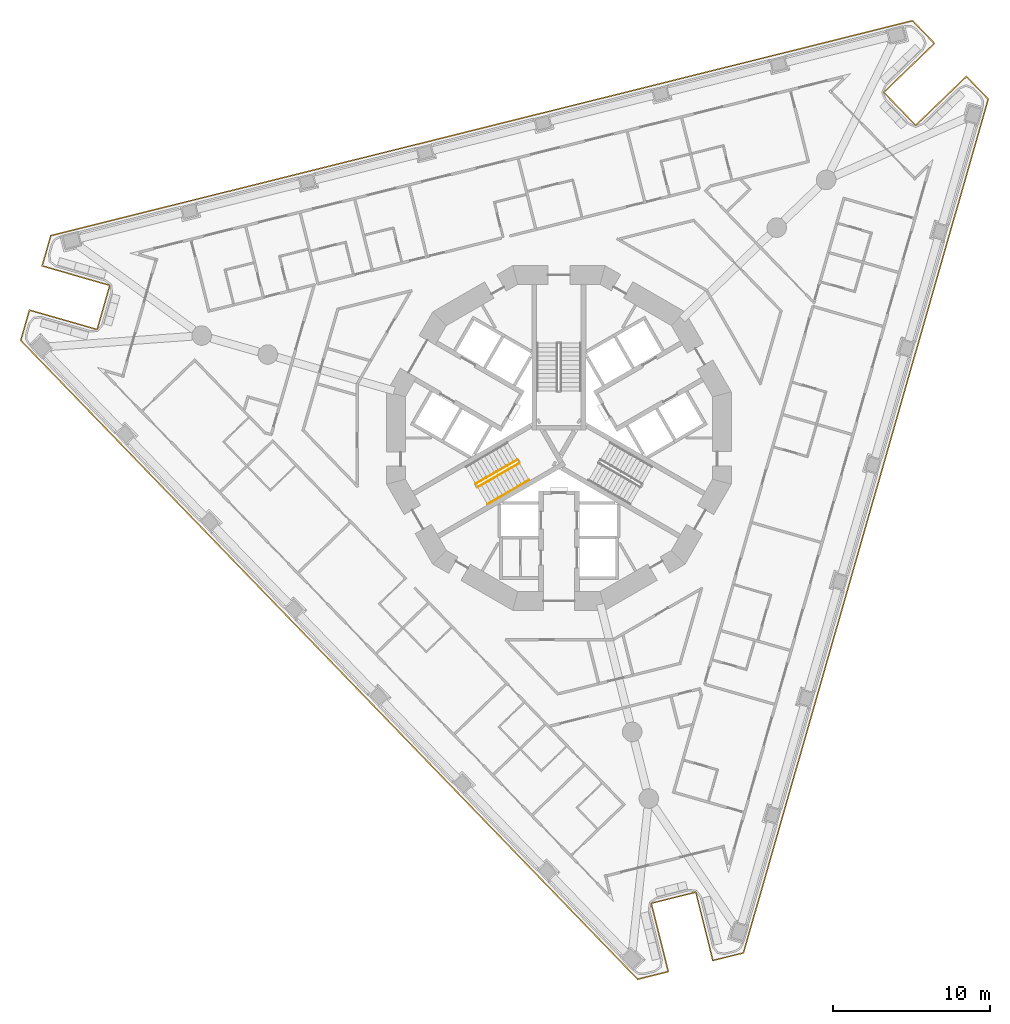
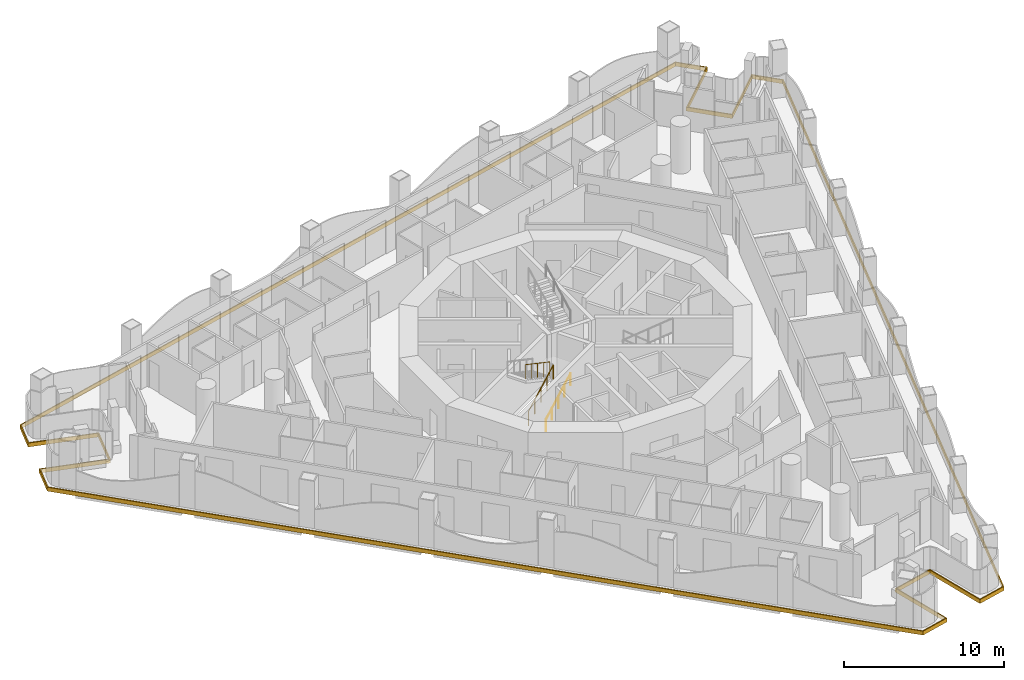
# One storey, part 12 of 18: 4 railings, 1 covering.
"""IFC4 building model written with IfcOpenShell, lengths in metres."""

from ifc_helpers import new_model, si_unit, direction, frame, origin, origin_2d, place, context, subcontext, project, spatial, polyline, circle, outline, extrude, material, layer, layer_set, type_object, element, save


model = new_model("IFC4")

# Units and contexts
model_context = context("Model", 3, precision=1e-05, world=origin(), true_north=direction((0.0, 1.0)))
body_context = subcontext(model_context, "Body", "Model", "MODEL_VIEW")
ifc_project = project(units=[si_unit("LENGTHUNIT", "METRE"), si_unit("AREAUNIT", "SQUARE_METRE"), si_unit("VOLUMEUNIT", "CUBIC_METRE"), si_unit("PLANEANGLEUNIT", "RADIAN"), si_unit("MASSUNIT", "GRAM", prefix="KILO")], contexts=[model_context])

# Site, building, storey
site_placement = place(None, origin())
site = spatial("IfcSite", under=ifc_project, at=site_placement, CompositionType="ELEMENT")
building_placement = place(site_placement, origin())
building = spatial("IfcBuilding", under=site, at=building_placement, Name="Trine Commons Tower", CompositionType="ELEMENT")
storey_placement = place(building_placement, frame((0.0, 0.0, 94.5)))
storey = spatial("IfcBuildingStorey", under=building, at=storey_placement, Name="L23", CompositionType="ELEMENT", Elevation=94.5)

# Covering
ifc_material_1 = material(Name="Limestone, honed", Category="masonry")
ifc_layer = layer(ifc_material_1, 0.074951171875)
ifc_layer_set = layer_set([ifc_layer], Name="Limestone, honed")
covering_type = type_object("IfcCoveringType", Name="Limestone spandrel panel 75", PredefinedType="CLADDING", material=ifc_layer_set)
covering_placement = place(storey_placement, frame((0.0, 0.0, -0.300048828125)))
element("IfcCovering", 1, at=covering_placement, inside=storey, type_object=covering_type, Name="Limestone spandrel panel 3-01", PredefinedType="CLADDING", context=body_context, shape_type="SweptSolid", body=[
    extrude(outline(polyline([(88.716064453125, 33.432373046875), (89.8046875, 29.06591796875), (91.8251953125, 29.56982421875), (107.478759765625, 84.159912109375), (106.031982421875, 85.657958984375), (102.795166015625, 82.531982421875), (100.815185546875, 84.58203125), (104.052490234375, 87.7080078125), (102.605712890625, 89.2060546875), (47.50244140625, 75.46728515625), (46.928466796875, 73.465576171875), (51.254150390625, 72.22509765625), (50.468505859375, 69.485595703125), (46.14306640625, 70.725830078125), (45.569091796875, 68.72412109375), (85.018798828125, 27.872802734375), (87.039306640625, 28.37646484375), (85.95068359375, 32.742919921875), (88.716064453125, 33.432373046875)]), holes=[polyline([(106.0302734375, 85.552001953125), (107.394775390625, 84.13916015625), (91.764892578125, 29.632080078125), (89.859375, 29.156982421875), (88.7705078125, 33.523193359375), (85.85986328125, 32.797607421875), (86.948486328125, 28.43115234375), (85.04248046875, 27.9560546875), (45.653076171875, 68.7451171875), (46.1943359375, 70.63330078125), (50.52001953125, 69.392822265625), (51.346923828125, 72.276611328125), (47.021240234375, 73.516845703125), (47.562744140625, 75.405029296875), (102.581787109375, 89.122802734375), (103.9462890625, 87.7099609375), (100.709228515625, 84.583984375), (102.793212890625, 82.426025390625), (106.0302734375, 85.552001953125)])]), origin(), (0.0, 0.0, 1.0), 0.300048828125),
])

# Railings
ifc_material_2 = material(Name="Stainless steel balustrade", Category="steel")
railing_type_1 = type_object("IfcRailingType", Name="Stair guard, steel balustrade 1100", PredefinedType="GUARDRAIL", material=ifc_material_2)
railing_1_placement = place(storey_placement, frame((74.80517578125, 59.3564453125, 0.14990234375)))
element("IfcRailing", 2, at=railing_1_placement, inside=storey, type_object=railing_type_1, Name="L23 ST2A stair guard 1", PredefinedType="GUARDRAIL", context=body_context, shape_type="SweptSolid", body=[
    extrude(circle(Radius=0.02392578125, at=origin_2d()), frame((0.0, 0.0, 1.076171875), z_axis=(0.763379768245, 0.440728498818, 0.472239049384), x_axis=(-0.499992328818, 0.866029832698, 0.0)), (0.0, 0.0, 1.0), 3.494384765625),
    extrude(circle(Radius=0.02099609375, at=origin_2d()), origin(), (0.0, 0.0, 1.0), 1.052001953125),
    extrude(circle(Radius=0.02099609375, at=origin_2d()), frame((0.6669921875, 0.385009765625, 0.41259765625)), (0.0, 0.0, 1.0), 1.052001953125),
    extrude(circle(Radius=0.02099609375, at=origin_2d()), frame((1.333740234375, 0.77001953125, 0.8251953125)), (0.0, 0.0, 1.0), 1.052001953125),
    extrude(circle(Radius=0.02099609375, at=origin_2d()), frame((2.00048828125, 1.155029296875, 1.237548828125)), (0.0, 0.0, 1.0), 1.052001953125),
    extrude(circle(Radius=0.02099609375, at=origin_2d()), frame((2.66748046875, 1.5400390625, 1.650146484375)), (0.0, 0.0, 1.0), 1.052001953125),
])
railing_2_placement = place(storey_placement, frame((77.34765625, 61.113037109375, 1.949951171875)))
element("IfcRailing", 3, at=railing_2_placement, inside=storey, type_object=railing_type_1, Name="L23 ST2A stair guard 3", PredefinedType="GUARDRAIL", context=body_context, shape_type="SweptSolid", body=[
    extrude(circle(Radius=0.02392578125, at=origin_2d()), frame((0.0, 0.0, 1.076171875), z_axis=(-0.763379768245, -0.440728498818, 0.472239049384), x_axis=(0.499992328818, -0.866029832698, 0.0)), (0.0, 0.0, 1.0), 3.494384765625),
    extrude(circle(Radius=0.02099609375, at=origin_2d()), origin(), (0.0, 0.0, 1.0), 1.052001953125),
    extrude(circle(Radius=0.02099609375, at=origin_2d()), frame((-0.6669921875, -0.385009765625, 0.41259765625)), (0.0, 0.0, 1.0), 1.052001953125),
    extrude(circle(Radius=0.02099609375, at=origin_2d()), frame((-1.333740234375, -0.77001953125, 0.8251953125)), (0.0, 0.0, 1.0), 1.052001953125),
    extrude(circle(Radius=0.02099609375, at=origin_2d()), frame((-2.00048828125, -1.155029296875, 1.237548828125)), (0.0, 0.0, 1.0), 1.052001953125),
    extrude(circle(Radius=0.02099609375, at=origin_2d()), frame((-2.66748046875, -1.5400390625, 1.650146484375)), (0.0, 0.0, 1.0), 1.052001953125),
])
ifc_material_3 = material(Name="Stainless steel handrail", Category="steel")
railing_type_2 = type_object("IfcRailingType", Name="Stair handrail, steel 900", PredefinedType="HANDRAIL", material=ifc_material_3)
railing_3_placement = place(storey_placement, frame((75.43017578125, 58.27392578125, 0.14990234375)))
element("IfcRailing", 4, at=railing_3_placement, inside=storey, type_object=railing_type_2, Name="L23 ST2A stair handrail 1", PredefinedType="HANDRAIL", context=body_context, shape_type="SweptSolid", body=[
    extrude(circle(Radius=0.02099609375, at=origin_2d()), frame((0.0, 0.0, 0.87890625), z_axis=(0.763354580307, 0.440713956853, 0.472293333596), x_axis=(-0.499992328818, 0.866029832698, 0.0)), (0.0, 0.0, 1.0), 1.747314453125),
    extrude(circle(Radius=0.01513671875, at=origin_2d()), origin(), (0.0, 0.0, 1.0), 0.85791015625),
    extrude(circle(Radius=0.01513671875, at=origin_2d()), frame((0.6669921875, 0.385009765625, 0.41259765625)), (0.0, 0.0, 1.0), 0.85791015625),
    extrude(circle(Radius=0.01513671875, at=origin_2d()), frame((1.333740234375, 0.77001953125, 0.8251953125)), (0.0, 0.0, 1.0), 0.85791015625),
])
railing_4_placement = place(storey_placement, frame((76.763916015625, 59.0439453125, 0.97509765625)))
element("IfcRailing", 5, at=railing_4_placement, inside=storey, type_object=railing_type_2, Name="L23 ST2A stair handrail 2", PredefinedType="HANDRAIL", context=body_context, shape_type="SweptSolid", body=[
    extrude(circle(Radius=0.02099609375, at=origin_2d()), frame((0.0, 0.0, 0.87890625), z_axis=(0.76340495495, 0.440743040072, 0.472184759798), x_axis=(-0.499992328818, 0.866029832698, 0.0)), (0.0, 0.0, 1.0), 1.7470703125),
    extrude(circle(Radius=0.01513671875, at=origin_2d()), origin(), (0.0, 0.0, 1.0), 0.85791015625),
    extrude(circle(Radius=0.01513671875, at=origin_2d()), frame((0.6669921875, 0.385009765625, 0.41259765625)), (0.0, 0.0, 1.0), 0.85791015625),
    extrude(circle(Radius=0.01513671875, at=origin_2d()), frame((1.333740234375, 0.77001953125, 0.824951171875)), (0.0, 0.0, 1.0), 0.85791015625),
])

save(model, "model.ifc")
